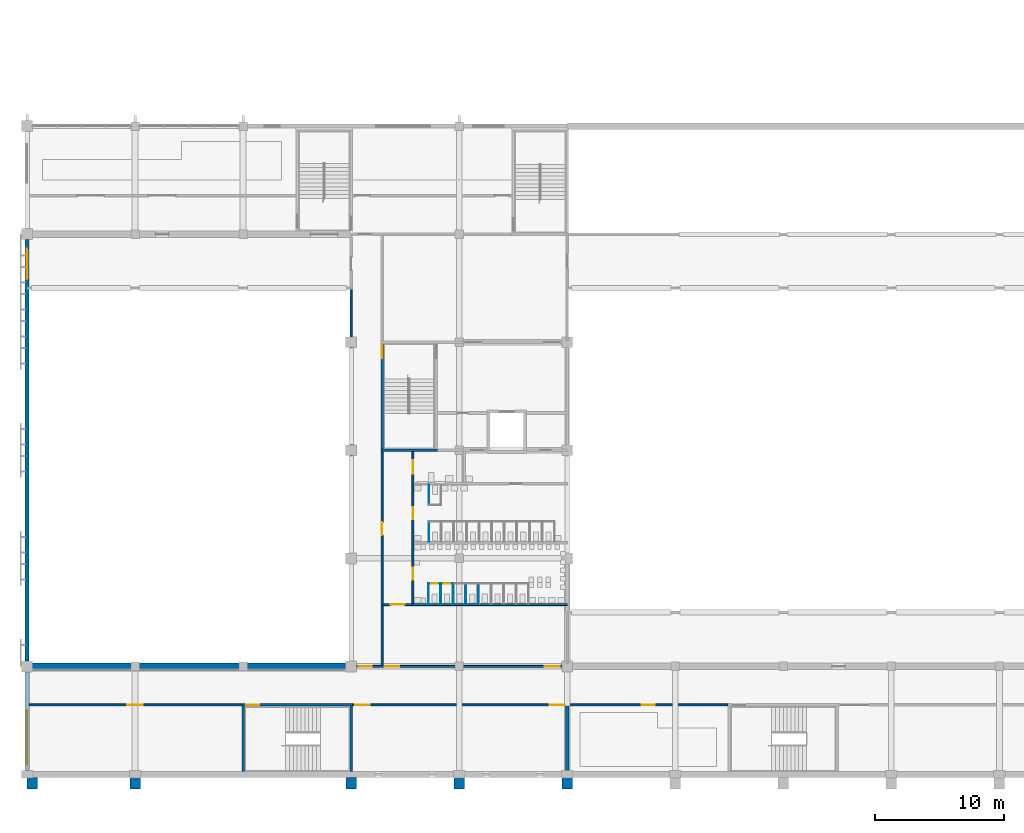
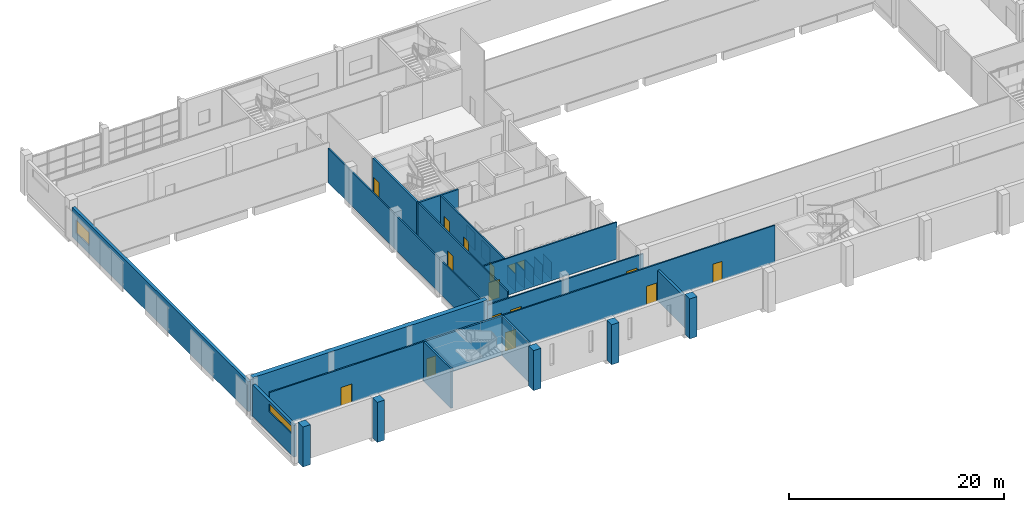
# One storey, part 22 of 64: 33 walls, 16 doors, 2 windows, 18 openings.
"""IFC4 building model written with IfcOpenShell, lengths in metres."""

from ifc_helpers import new_model, si_unit, direction, frame, frame_2d, origin, place, context, subcontext, project, spatial, rectangle, extrude, material, layer, layer_set, type_object, element, fill, save


model = new_model("IFC4")

# Units and contexts
model_context = context("Model", 3, precision=1e-05, world=origin(), true_north=direction((0.0, 1.0)))
body_context = subcontext(model_context, "Body", "Model", "MODEL_VIEW")
ifc_project = project(units=[si_unit("LENGTHUNIT", "METRE"), si_unit("AREAUNIT", "SQUARE_METRE"), si_unit("VOLUMEUNIT", "CUBIC_METRE"), si_unit("PLANEANGLEUNIT", "RADIAN"), si_unit("MASSUNIT", "GRAM", prefix="KILO")], contexts=[model_context])

# Site, building, storey
site_placement = place(None, origin())
site = spatial("IfcSite", under=ifc_project, at=site_placement, CompositionType="ELEMENT")
building_placement = place(site_placement, origin())
building = spatial("IfcBuilding", under=site, at=building_placement, Name="Rulbaag Community and Learning Centre", CompositionType="ELEMENT")
storey_placement = place(building_placement, frame((0.0, 0.0, 5.39990234375)))
storey = spatial("IfcBuildingStorey", under=building, at=storey_placement, Name="L01", CompositionType="ELEMENT", Elevation=5.39990234375)

# Walls
ifc_material_1 = material(Name="High pressure laminate", Category="wood")
ifc_layer_1 = layer(ifc_material_1, 0.0400390625)
ifc_layer_set_1 = layer_set([ifc_layer_1], Name="CP-40")
wall_type_1 = type_object("IfcWallType", Name="CP-40", PredefinedType="PARTITIONING", material=ifc_layer_set_1)
for number, where, z_axis, x_axis, name in (
    (1, (31.199951171875, 13.27490234375, 0.0), (0.0, 0.0, 1.0), (0.0, 1.0, 0.0), "Cubicle partition"),
    (2, (32.139892578125, 13.27490234375, 0.0), (0.0, 0.0, 1.0), (0.0, 1.0, 0.0), "Cubicle partition"),
):
    element("IfcWall", number, at=place(storey_placement, frame(where, z_axis=z_axis, x_axis=x_axis)), inside=storey, type_object=wall_type_1, Name=name, PredefinedType="PARTITIONING", context=body_context, shape_type="SweptSolid", body=[
        extrude(rectangle(XDim=1.59521484375, YDim=0.0400390625, at=frame_2d((0.797607421875, 0.0))), origin(), (0.0, 0.0, 1.0), 2.0),
    ])

# Wall, opening, door
wall_1_placement = place(storey_placement, frame((31.219970703125, 14.85009765625, 0.0), z_axis=(0.0, 0.0, 1.0), x_axis=(1.0, 0.0, 0.0)))
wall_1 = element("IfcWall", 3, at=wall_1_placement, inside=storey, type_object=wall_type_1, Name="Cubicle partition", PredefinedType="PARTITIONING", context=body_context, shape_type="SweptSolid", body=[
    extrude(rectangle(XDim=0.900146484375, YDim=0.0400390625, at=frame_2d((0.4501953125, 0.0))), origin(), (0.0, 0.0, 1.0), 2.0),
])
opening_1_placement = place(wall_1_placement, frame((0.050048828125, 0.0, 0.0)))
opening_1 = element("IfcOpeningElement", 4, at=opening_1_placement, cuts=wall_1, Name="Opening L01-D021", PredefinedType="OPENING", context=body_context, shape_type="SweptSolid", body=[
    extrude(rectangle(XDim=0.800048828125, YDim=2.0, at=frame_2d((0.39990234375, 1.0))), frame((0.0, 0.030029296875, 0.0), z_axis=(0.0, -1.0, 0.0), x_axis=(1.0, 0.0, 0.0)), (0.0, 0.0, 1.0), 0.06005859375),
])
door_type_1 = type_object("IfcDoorType", Name="DC-80", OperationType="SINGLE_SWING_LEFT", PredefinedType="DOOR", material=ifc_material_1)
door_1_placement = place(opening_1_placement, origin())
door_1 = element("IfcDoor", 5, at=door_1_placement, inside=storey, type_object=door_type_1, Name="Cubicle door", OperationType="SINGLE_SWING_LEFT", OverallHeight=2.0, OverallWidth=0.800048828125, PredefinedType="DOOR", context=body_context, shape_type="SweptSolid", body=[
    extrude(rectangle(XDim=0.800048828125, YDim=2.0, at=frame_2d((0.39990234375, 1.0))), frame((0.0, 0.019775390625, 0.0), z_axis=(0.0, -1.0, 0.0), x_axis=(1.0, 0.0, 0.0)), (0.0, 0.0, 1.0), 0.03955078125),
])
fill(opening_1, door_1)

# Walls
for number, where, z_axis, x_axis, name in (
    (6, (32.179931640625, 13.27490234375, 0.0), (0.0, 0.0, 1.0), (0.0, 1.0, 0.0), "Cubicle partition"),
    (7, (33.1201171875, 13.27490234375, 0.0), (0.0, 0.0, 1.0), (0.0, 1.0, 0.0), "Cubicle partition"),
):
    element("IfcWall", number, at=place(storey_placement, frame(where, z_axis=z_axis, x_axis=x_axis)), inside=storey, type_object=wall_type_1, Name=name, PredefinedType="PARTITIONING", context=body_context, shape_type="SweptSolid", body=[
        extrude(rectangle(XDim=1.59521484375, YDim=0.0400390625, at=frame_2d((0.797607421875, 0.0))), origin(), (0.0, 0.0, 1.0), 2.0),
    ])

# Wall, opening, door
wall_2_placement = place(storey_placement, frame((32.199951171875, 14.85009765625, 0.0), z_axis=(0.0, 0.0, 1.0), x_axis=(1.0, 0.0, 0.0)))
wall_2 = element("IfcWall", 8, at=wall_2_placement, inside=storey, type_object=wall_type_1, Name="Cubicle partition", PredefinedType="PARTITIONING", context=body_context, shape_type="SweptSolid", body=[
    extrude(rectangle(XDim=0.900146484375, YDim=0.0400390625, at=frame_2d((0.4501953125, 0.0))), origin(), (0.0, 0.0, 1.0), 2.0),
])
opening_2_placement = place(wall_2_placement, frame((0.050048828125, 0.0, 0.0)))
opening_2 = element("IfcOpeningElement", 9, at=opening_2_placement, cuts=wall_2, Name="Opening L01-D025", PredefinedType="OPENING", context=body_context, shape_type="SweptSolid", body=[
    extrude(rectangle(XDim=0.800048828125, YDim=2.0, at=frame_2d((0.39990234375, 1.0))), frame((0.0, 0.030029296875, 0.0), z_axis=(0.0, -1.0, 0.0), x_axis=(1.0, 0.0, 0.0)), (0.0, 0.0, 1.0), 0.06005859375),
])
door_2_placement = place(opening_2_placement, origin())
door_2 = element("IfcDoor", 10, at=door_2_placement, inside=storey, type_object=door_type_1, Name="Cubicle door", OperationType="SINGLE_SWING_LEFT", OverallHeight=2.0, OverallWidth=0.800048828125, PredefinedType="DOOR", context=body_context, shape_type="SweptSolid", body=[
    extrude(rectangle(XDim=0.800048828125, YDim=2.0, at=frame_2d((0.39990234375, 1.0))), frame((0.0, 0.019775390625, 0.0), z_axis=(0.0, -1.0, 0.0), x_axis=(1.0, 0.0, 0.0)), (0.0, 0.0, 1.0), 0.03955078125),
])
fill(opening_2, door_2)

# Walls
for number, where, z_axis, x_axis, name in (
    (11, (33.159912109375, 13.27490234375, 0.0), (0.0, 0.0, 1.0), (0.0, 1.0, 0.0), "Cubicle partition"),
    (12, (34.10009765625, 13.27490234375, 0.0), (0.0, 0.0, 1.0), (0.0, 1.0, 0.0), "Cubicle partition"),
    (13, (34.139892578125, 13.27490234375, 0.0), (0.0, 0.0, 1.0), (0.0, 1.0, 0.0), "Cubicle partition"),
    (14, (35.080078125, 13.27490234375, 0.0), (0.0, 0.0, 1.0), (0.0, 1.0, 0.0), "Cubicle partition"),
):
    element("IfcWall", number, at=place(storey_placement, frame(where, z_axis=z_axis, x_axis=x_axis)), inside=storey, type_object=wall_type_1, Name=name, PredefinedType="PARTITIONING", context=body_context, shape_type="SweptSolid", body=[
        extrude(rectangle(XDim=1.59521484375, YDim=0.0400390625, at=frame_2d((0.797607421875, 0.0))), origin(), (0.0, 0.0, 1.0), 2.0),
    ])
for number, where, z_axis, x_axis, name in (
    (15, (31.25, 18.074951171875, 0.0), (0.0, 0.0, 1.0), (0.0, 1.0, 0.0), "Cubicle partition"),
    (16, (31.25, 22.52490234375, 0.0), (0.0, 0.0, 1.0), (0.0, -1.0, 0.0), "Cubicle partition"),
):
    element("IfcWall", number, at=place(storey_placement, frame(where, z_axis=z_axis, x_axis=x_axis)), inside=storey, type_object=wall_type_1, Name=name, PredefinedType="PARTITIONING", context=body_context, shape_type="SweptSolid", body=[
        extrude(rectangle(XDim=1.594970703125, YDim=0.0400390625, at=frame_2d((0.79736328125, 0.0))), origin(), (0.0, 0.0, 1.0), 2.0),
    ])
ifc_material_2 = material(Name="Concrete M30", Category="concrete")
ifc_layer_2 = layer(ifc_material_2, 0.25)
ifc_layer_set_2 = layer_set([ifc_layer_2], Name="CW-250 COMPARTMENT WALL 250")
wall_type_2 = type_object("IfcWallType", Name="CW-250 COMPARTMENT WALL 250", PredefinedType="SOLIDWALL", material=ifc_layer_set_2)
wall_3_placement = place(storey_placement, frame((42.0, 0.22509765625, 0.0), z_axis=(0.0, 0.0, 1.0), x_axis=(0.0, 1.0, 0.0)))
element("IfcWall", 17, at=wall_3_placement, inside=storey, type_object=wall_type_2, Name="Fire wall L01 55", PredefinedType="SOLIDWALL", context=body_context, shape_type="SweptSolid", body=[
    extrude(rectangle(XDim=5.099853515625, YDim=0.25, at=frame_2d((2.5498046875, 0.0))), origin(), (0.0, 0.0, 1.0), 3.5),
])
ifc_material_3 = material(Name="Concrete M40", Category="concrete")
ifc_layer_3 = layer(ifc_material_3, 0.800048828125)
ifc_layer_set_3 = layer_set([ifc_layer_3], Name="EW-BTR")
wall_type_3 = type_object("IfcWallType", Name="EW-BTR", PredefinedType="SOLIDWALL", material=ifc_layer_set_3)
for number, where, z_axis, x_axis, name in (
    (18, (0.39990234375, -0.22509765625, -0.2998046875), (0.0, 0.0, 1.0), (0.0, -1.0, 0.0), "Buttress pier"),
    (19, (8.39990234375, -0.22509765625, -0.2998046875), (0.0, 0.0, 1.0), (0.0, -1.0, 0.0), "Buttress pier"),
    (20, (25.199951171875, -0.22509765625, -0.2998046875), (0.0, 0.0, 1.0), (0.0, -1.0, 0.0), "Buttress pier"),
    (21, (33.60009765625, -0.22509765625, -0.2998046875), (0.0, 0.0, 1.0), (0.0, -1.0, 0.0), "Buttress pier"),
    (22, (42.0, -0.22509765625, -0.2998046875), (0.0, 0.0, 1.0), (0.0, -1.0, 0.0), "Buttress pier"),
):
    element("IfcWall", number, at=place(storey_placement, frame(where, z_axis=z_axis, x_axis=x_axis)), inside=storey, type_object=wall_type_3, Name=name, PredefinedType="SOLIDWALL", context=body_context, shape_type="SweptSolid", body=[
        extrude(rectangle(XDim=0.89990234375, YDim=0.800048828125, at=frame_2d((0.449951171875, 0.0))), origin(), (0.0, 0.0, 1.0), 4.5498046875),
    ])

# Wall, opening, window
ifc_layer_4 = layer(ifc_material_3, 0.300048828125)
ifc_layer_set_4 = layer_set([ifc_layer_4], Name="EW-CONC300")
wall_type_4 = type_object("IfcWallType", Name="EW-CONC300", PredefinedType="STANDARD", material=ifc_layer_set_4)
wall_4_placement = place(storey_placement, frame((0.0, 0.300048828125, 0.0), z_axis=(0.0, 0.0, 1.0), x_axis=(0.0, 1.0, 0.0)))
wall_4 = element("IfcWall", 23, at=wall_4_placement, inside=storey, type_object=wall_type_4, Name="Board-marked concrete cladding wall AW", PredefinedType="STANDARD", context=body_context, shape_type="SweptSolid", body=[
    extrude(rectangle(XDim=7.675048828125, YDim=0.300048828125, at=frame_2d((3.83740234375, 0.0))), origin(), (0.0, 0.0, 1.0), 3.60009765625),
])
opening_3_placement = place(wall_4_placement, frame((0.449951171875, 0.0, 2.39990234375)))
opening_3 = element("IfcOpeningElement", 24, at=opening_3_placement, cuts=wall_4, Name="Opening WN13", PredefinedType="OPENING", context=body_context, shape_type="SweptSolid", body=[
    extrude(rectangle(XDim=4.199951171875, YDim=0.89990234375, at=frame_2d((2.10009765625, 0.449951171875))), frame((0.0, 0.159912109375, 0.0), z_axis=(0.0, -1.0, 0.0), x_axis=(1.0, 0.0, 0.0)), (0.0, 0.0, 1.0), 0.320068359375),
])
ifc_material_4 = material(Name="Aluminium", Category="aluminium")
window_type_1 = type_object("IfcWindowType", Name="WL-42", PartitioningType="TRIPLE_PANEL_VERTICAL", PredefinedType="WINDOW", material=ifc_material_4)
window_1_placement = place(opening_3_placement, origin())
window_1 = element("IfcWindow", 25, at=window_1_placement, inside=storey, type_object=window_type_1, Name="Window WN13", OverallHeight=0.89990234375, OverallWidth=4.199951171875, PartitioningType="SINGLE_PANEL", PredefinedType="WINDOW", context=body_context, shape_type="SweptSolid", body=[
    extrude(rectangle(XDim=4.199951171875, YDim=0.89990234375, at=frame_2d((2.10009765625, 0.449951171875))), frame((0.0, 0.030029296875, 0.0), z_axis=(0.0, -1.0, 0.0), x_axis=(1.0, 0.0, 0.0)), (0.0, 0.0, 1.0), 0.06005859375),
])
fill(opening_3, window_1)

wall_5_placement = place(storey_placement, frame((0.0, 8.824951171875, 0.0), z_axis=(0.0, 0.0, 1.0), x_axis=(0.0, 1.0, 0.0)))
wall_5 = element("IfcWall", 26, at=wall_5_placement, inside=storey, type_object=wall_type_4, Name="Board-marked concrete cladding wall AW", PredefinedType="STANDARD", context=body_context, shape_type="SweptSolid", body=[
    extrude(rectangle(XDim=32.75, YDim=0.300048828125, at=frame_2d((16.375, 0.0))), origin(), (0.0, 0.0, 1.0), 3.400146484375),
])
opening_4_placement = place(wall_5_placement, frame((29.66259765625, 0.0, 0.89990234375)))
opening_4 = element("IfcOpeningElement", 27, at=opening_4_placement, cuts=wall_5, Name="Opening WN17", PredefinedType="OPENING", context=body_context, shape_type="SweptSolid", body=[
    extrude(rectangle(XDim=2.39990234375, YDim=1.5, at=frame_2d((1.199951171875, 0.75))), frame((0.0, 0.159912109375, 0.0), z_axis=(0.0, -1.0, 0.0), x_axis=(1.0, 0.0, 0.0)), (0.0, 0.0, 1.0), 0.320068359375),
])
window_type_2 = type_object("IfcWindowType", Name="WN-24", PartitioningType="DOUBLE_PANEL_VERTICAL", PredefinedType="WINDOW", material=ifc_material_4)
window_2_placement = place(opening_4_placement, origin())
window_2 = element("IfcWindow", 28, at=window_2_placement, inside=storey, type_object=window_type_2, Name="Window WN17", OverallHeight=1.5, OverallWidth=2.39990234375, PartitioningType="SINGLE_PANEL", PredefinedType="WINDOW", context=body_context, shape_type="SweptSolid", body=[
    extrude(rectangle(XDim=2.39990234375, YDim=1.5, at=frame_2d((1.199951171875, 0.75))), frame((0.0, 0.030029296875, 0.0), z_axis=(0.0, -1.0, 0.0), x_axis=(1.0, 0.0, 0.0)), (0.0, 0.0, 1.0), 0.06005859375),
])
fill(opening_4, window_2)

# Wall
ifc_material_5 = material(Name="Concrete blockwork", Category="masonry")
ifc_layer_5 = layer(ifc_material_5, 0.14990234375)
ifc_layer_set_5 = layer_set([ifc_layer_5], Name="IP-150 PARTITION 150")
wall_type_5 = type_object("IfcWallType", Name="IP-150 PARTITION 150", PredefinedType="PARTITIONING", material=ifc_layer_set_5)
wall_6_placement = place(storey_placement, frame((25.199951171875, 8.64990234375, -0.2998046875), z_axis=(0.0, 0.0, 1.0), x_axis=(0.0, 1.0, 0.0)))
element("IfcWall", 29, at=wall_6_placement, inside=storey, type_object=wall_type_5, Name="Partition L01 57", PredefinedType="PARTITIONING", context=body_context, shape_type="SweptSolid", body=[
    extrude(rectangle(XDim=29.0751953125, YDim=0.14990234375, at=frame_2d((14.53759765625, 0.0))), origin(), (0.0, 0.0, 1.0), 3.89990234375),
])

# Wall, opening, door
wall_7_placement = place(storey_placement, frame((0.14990234375, 5.39990234375, 0.0), z_axis=(0.0, 0.0, 1.0), x_axis=(1.0, 0.0, 0.0)))
wall_7 = element("IfcWall", 30, at=wall_7_placement, inside=storey, type_object=wall_type_5, Name="Partition L01 1", PredefinedType="PARTITIONING", context=body_context, shape_type="SweptSolid", body=[
    extrude(rectangle(XDim=16.550048828125, YDim=0.14990234375, at=frame_2d((8.27490234375, 0.0))), origin(), (0.0, 0.0, 1.0), 4.2001953125),
])
opening_5_placement = place(wall_7_placement, frame((7.64990234375, 0.0, 0.0)))
opening_5 = element("IfcOpeningElement", 31, at=opening_5_placement, cuts=wall_7, Name="Opening L01-D002", PredefinedType="OPENING", context=body_context, shape_type="SweptSolid", body=[
    extrude(rectangle(XDim=1.199951171875, YDim=2.10009765625, at=frame_2d((0.60009765625, 1.050048828125))), frame((0.0, 0.0849609375, 0.0), z_axis=(0.0, -1.0, 0.0), x_axis=(1.0, 0.0, 0.0)), (0.0, 0.0, 1.0), 0.169921875),
])
ifc_material_6 = material(Name="Timber", Category="wood")
door_type_2 = type_object("IfcDoorType", Name="DC-1200 CLASSROOM DOOR 1200 x 2100", OperationType="SINGLE_SWING_LEFT", PredefinedType="DOOR", material=ifc_material_6)
door_3_placement = place(opening_5_placement, origin())
door_3 = element("IfcDoor", 32, at=door_3_placement, inside=storey, type_object=door_type_2, Name="Door L01-D002", OperationType="SINGLE_SWING_LEFT", OverallHeight=2.10009765625, OverallWidth=1.199951171875, PredefinedType="DOOR", context=body_context, shape_type="SweptSolid", body=[
    extrude(rectangle(XDim=1.199951171875, YDim=2.10009765625, at=frame_2d((0.60009765625, 1.050048828125))), frame((0.0, 0.02490234375, 0.0), z_axis=(0.0, -1.0, 0.0), x_axis=(1.0, 0.0, 0.0)), (0.0, 0.0, 1.0), 0.050048828125),
])
fill(opening_5, door_3)

# Wall, openings, doors
wall_8_placement = place(storey_placement, frame((25.300048828125, 5.39990234375, 0.0), z_axis=(0.0, 0.0, 1.0), x_axis=(1.0, 0.0, 0.0)))
wall_8 = element("IfcWall", 33, at=wall_8_placement, inside=storey, type_object=wall_type_5, Name="Partition L01 2", PredefinedType="PARTITIONING", context=body_context, shape_type="SweptSolid", body=[
    extrude(rectangle(XDim=29.199951171875, YDim=0.14990234375, at=frame_2d((14.60009765625, 0.0))), origin(), (0.0, 0.0, 1.0), 4.2001953125),
])
opening_6_placement = place(wall_8_placement, frame((0.199951171875, 0.0, 0.0)))
opening_6 = element("IfcOpeningElement", 34, at=opening_6_placement, cuts=wall_8, Name="Opening L01-D010", PredefinedType="OPENING", context=body_context, shape_type="SweptSolid", body=[
    extrude(rectangle(XDim=1.14990234375, YDim=2.10009765625, at=frame_2d((0.574951171875, 1.050048828125))), frame((0.0, 0.0849609375, 0.0), z_axis=(0.0, -1.0, 0.0), x_axis=(1.0, 0.0, 0.0)), (0.0, 0.0, 1.0), 0.169921875),
])
opening_7_placement = place(wall_8_placement, frame((15.35009765625, 0.0, 0.0)))
opening_7 = element("IfcOpeningElement", 35, at=opening_7_placement, cuts=wall_8, Name="Opening L01-D051", PredefinedType="OPENING", context=body_context, shape_type="SweptSolid", body=[
    extrude(rectangle(XDim=1.14990234375, YDim=2.10009765625, at=frame_2d((0.574951171875, 1.050048828125))), frame((0.0, 0.0849609375, 0.0), z_axis=(0.0, -1.0, 0.0), x_axis=(1.0, 0.0, 0.0)), (0.0, 0.0, 1.0), 0.169921875),
])
opening_8_placement = place(wall_8_placement, frame((22.5, 0.0, 0.0)))
opening_8 = element("IfcOpeningElement", 36, at=opening_8_placement, cuts=wall_8, Name="Opening L01-D053", PredefinedType="OPENING", context=body_context, shape_type="SweptSolid", body=[
    extrude(rectangle(XDim=1.0, YDim=2.10009765625, at=frame_2d((0.5, 1.050048828125))), frame((0.0, 0.0849609375, 0.0), z_axis=(0.0, -1.0, 0.0), x_axis=(1.0, 0.0, 0.0)), (0.0, 0.0, 1.0), 0.169921875),
])
door_type_3 = type_object("IfcDoorType", Name="D-1000 DOOR 1000 x 2100", OperationType="SINGLE_SWING_LEFT", PredefinedType="DOOR", material=ifc_material_6)
door_4_placement = place(opening_8_placement, origin())
door_4 = element("IfcDoor", 37, at=door_4_placement, inside=storey, type_object=door_type_3, Name="Door L01-D053", OperationType="SINGLE_SWING_RIGHT", OverallHeight=2.10009765625, OverallWidth=1.0, PredefinedType="DOOR", context=body_context, shape_type="SweptSolid", body=[
    extrude(rectangle(XDim=1.0, YDim=2.10009765625, at=frame_2d((0.5, 1.050048828125))), frame((0.0, 0.02490234375, 0.0), z_axis=(0.0, -1.0, 0.0), x_axis=(1.0, 0.0, 0.0)), (0.0, 0.0, 1.0), 0.050048828125),
])
fill(opening_8, door_4)
door_type_4 = type_object("IfcDoorType", Name="D-1150 YOUTH ROOM DOOR 1150 x 2100", OperationType="SINGLE_SWING_LEFT", PredefinedType="DOOR", material=ifc_material_6)
door_5_placement = place(opening_6_placement, origin())
door_5 = element("IfcDoor", 38, at=door_5_placement, inside=storey, type_object=door_type_4, Name="Door L01-D010", OperationType="SINGLE_SWING_RIGHT", OverallHeight=2.10009765625, OverallWidth=1.14990234375, PredefinedType="DOOR", context=body_context, shape_type="SweptSolid", body=[
    extrude(rectangle(XDim=1.14990234375, YDim=2.10009765625, at=frame_2d((0.574951171875, 1.050048828125))), frame((0.0, 0.02490234375, 0.0), z_axis=(0.0, -1.0, 0.0), x_axis=(1.0, 0.0, 0.0)), (0.0, 0.0, 1.0), 0.050048828125),
])
fill(opening_6, door_5)
door_6_placement = place(opening_7_placement, origin())
door_6 = element("IfcDoor", 39, at=door_6_placement, inside=storey, type_object=door_type_4, Name="Door L01-D051", OperationType="SINGLE_SWING_LEFT", OverallHeight=2.10009765625, OverallWidth=1.14990234375, PredefinedType="DOOR", context=body_context, shape_type="SweptSolid", body=[
    extrude(rectangle(XDim=1.14990234375, YDim=2.10009765625, at=frame_2d((0.574951171875, 1.050048828125))), frame((0.0, 0.02490234375, 0.0), z_axis=(0.0, -1.0, 0.0), x_axis=(1.0, 0.0, 0.0)), (0.0, 0.0, 1.0), 0.050048828125),
])
fill(opening_7, door_6)

wall_9_placement = place(storey_placement, frame((25.199951171875, 8.39990234375, 0.0), z_axis=(0.0, 0.0, 1.0), x_axis=(1.0, 0.0, 0.0)))
wall_9 = element("IfcWall", 40, at=wall_9_placement, inside=storey, type_object=wall_type_5, Name="Partition L01 5", PredefinedType="PARTITIONING", context=body_context, shape_type="SweptSolid", body=[
    extrude(rectangle(XDim=16.875, YDim=0.14990234375, at=frame_2d((8.4375, 0.0))), origin(), (0.0, 0.0, 1.0), 3.5),
])
opening_9_placement = place(wall_9_placement, frame((2.60009765625, 0.0, 0.0)))
opening_9 = element("IfcOpeningElement", 41, at=opening_9_placement, cuts=wall_9, Name="Opening L01-D016", PredefinedType="OPENING", context=body_context, shape_type="SweptSolid", body=[
    extrude(rectangle(XDim=1.14990234375, YDim=2.10009765625, at=frame_2d((0.574951171875, 1.050048828125))), frame((0.0, 0.0849609375, 0.0), z_axis=(0.0, -1.0, 0.0), x_axis=(1.0, 0.0, 0.0)), (0.0, 0.0, 1.0), 0.169921875),
])
opening_10_placement = place(wall_9_placement, frame((15.050048828125, 0.0, 0.0)))
opening_10 = element("IfcOpeningElement", 42, at=opening_10_placement, cuts=wall_9, Name="Opening L01-D050", PredefinedType="OPENING", context=body_context, shape_type="SweptSolid", body=[
    extrude(rectangle(XDim=1.14990234375, YDim=2.10009765625, at=frame_2d((0.574951171875, 1.050048828125))), frame((0.0, 0.0849609375, 0.0), z_axis=(0.0, -1.0, 0.0), x_axis=(1.0, 0.0, 0.0)), (0.0, 0.0, 1.0), 0.169921875),
])
opening_11_placement = place(wall_9_placement, frame((0.60009765625, 0.0, 0.0)))
opening_11 = element("IfcOpeningElement", 43, at=opening_11_placement, cuts=wall_9, Name="Opening L01-D012", PredefinedType="OPENING", context=body_context, shape_type="SweptSolid", body=[
    extrude(rectangle(XDim=1.0, YDim=2.10009765625, at=frame_2d((0.5, 1.050048828125))), frame((0.0, 0.0849609375, 0.0), z_axis=(0.0, -1.0, 0.0), x_axis=(1.0, 0.0, 0.0)), (0.0, 0.0, 1.0), 0.169921875),
])
door_7_placement = place(opening_11_placement, origin())
door_7 = element("IfcDoor", 44, at=door_7_placement, inside=storey, type_object=door_type_3, Name="Door L01-D012", OperationType="SINGLE_SWING_RIGHT", OverallHeight=2.10009765625, OverallWidth=1.0, PredefinedType="DOOR", context=body_context, shape_type="SweptSolid", body=[
    extrude(rectangle(XDim=1.0, YDim=2.10009765625, at=frame_2d((0.5, 1.050048828125))), frame((0.0, 0.02490234375, 0.0), z_axis=(0.0, -1.0, 0.0), x_axis=(1.0, 0.0, 0.0)), (0.0, 0.0, 1.0), 0.050048828125),
])
fill(opening_11, door_7)
door_8_placement = place(opening_9_placement, origin())
door_8 = element("IfcDoor", 45, at=door_8_placement, inside=storey, type_object=door_type_4, Name="Door L01-D016", OperationType="SINGLE_SWING_LEFT", OverallHeight=2.10009765625, OverallWidth=1.14990234375, PredefinedType="DOOR", context=body_context, shape_type="SweptSolid", body=[
    extrude(rectangle(XDim=1.14990234375, YDim=2.10009765625, at=frame_2d((0.574951171875, 1.050048828125))), frame((0.0, 0.02490234375, 0.0), z_axis=(0.0, -1.0, 0.0), x_axis=(1.0, 0.0, 0.0)), (0.0, 0.0, 1.0), 0.050048828125),
])
fill(opening_9, door_8)
door_9_placement = place(opening_10_placement, origin())
door_9 = element("IfcDoor", 46, at=door_9_placement, inside=storey, type_object=door_type_4, Name="Door L01-D050", OperationType="SINGLE_SWING_RIGHT", OverallHeight=2.10009765625, OverallWidth=1.14990234375, PredefinedType="DOOR", context=body_context, shape_type="SweptSolid", body=[
    extrude(rectangle(XDim=1.14990234375, YDim=2.10009765625, at=frame_2d((0.574951171875, 1.050048828125))), frame((0.0, 0.02490234375, 0.0), z_axis=(0.0, -1.0, 0.0), x_axis=(1.0, 0.0, 0.0)), (0.0, 0.0, 1.0), 0.050048828125),
])
fill(opening_10, door_9)

# Wall, opening, door
wall_10_placement = place(storey_placement, frame((27.675048828125, 13.199951171875, 0.0), z_axis=(0.0, 0.0, 1.0), x_axis=(1.0, 0.0, 0.0)))
wall_10 = element("IfcWall", 47, at=wall_10_placement, inside=storey, type_object=wall_type_5, Name="Partition L01 7", PredefinedType="PARTITIONING", context=body_context, shape_type="SweptSolid", body=[
    extrude(rectangle(XDim=14.324951171875, YDim=0.14990234375, at=frame_2d((7.16259765625, 0.0))), origin(), (0.0, 0.0, 1.0), 4.2001953125),
])
opening_12_placement = place(wall_10_placement, frame((0.550048828125, 0.0, 0.0)))
opening_12 = element("IfcOpeningElement", 48, at=opening_12_placement, cuts=wall_10, Name="Opening L01-D017", PredefinedType="OPENING", context=body_context, shape_type="SweptSolid", body=[
    extrude(rectangle(XDim=1.14990234375, YDim=2.10009765625, at=frame_2d((0.574951171875, 1.050048828125))), frame((0.0, 0.0849609375, 0.0), z_axis=(0.0, -1.0, 0.0), x_axis=(1.0, 0.0, 0.0)), (0.0, 0.0, 1.0), 0.169921875),
])
door_10_placement = place(opening_12_placement, origin())
door_10 = element("IfcDoor", 49, at=door_10_placement, inside=storey, type_object=door_type_4, Name="Door L01-D017", OperationType="SINGLE_SWING_RIGHT", OverallHeight=2.10009765625, OverallWidth=1.14990234375, PredefinedType="DOOR", context=body_context, shape_type="SweptSolid", body=[
    extrude(rectangle(XDim=1.14990234375, YDim=2.10009765625, at=frame_2d((0.574951171875, 1.050048828125))), frame((0.0, 0.02490234375, 0.0), z_axis=(0.0, -1.0, 0.0), x_axis=(1.0, 0.0, 0.0)), (0.0, 0.0, 1.0), 0.050048828125),
])
fill(opening_12, door_10)

wall_11_placement = place(storey_placement, frame((27.60009765625, 8.47509765625, 0.0), z_axis=(0.0, 0.0, 1.0), x_axis=(0.0, 1.0, 0.0)))
wall_11 = element("IfcWall", 50, at=wall_11_placement, inside=storey, type_object=wall_type_5, Name="Partition L01 50", PredefinedType="PARTITIONING", context=body_context, shape_type="SweptSolid", body=[
    extrude(rectangle(XDim=16.824951171875, YDim=0.14990234375, at=frame_2d((8.41259765625, 0.0))), origin(), (0.0, 0.0, 1.0), 4.2001953125),
])
opening_13_placement = place(wall_11_placement, frame((10.125, 0.0, 0.0)))
opening_13 = element("IfcOpeningElement", 51, at=opening_13_placement, cuts=wall_11, Name="Opening L01-D014", PredefinedType="OPENING", context=body_context, shape_type="SweptSolid", body=[
    extrude(rectangle(XDim=1.0, YDim=2.10009765625, at=frame_2d((0.5, 1.050048828125))), frame((0.0, 0.0849609375, 0.0), z_axis=(0.0, -1.0, 0.0), x_axis=(1.0, 0.0, 0.0)), (0.0, 0.0, 1.0), 0.169921875),
])
door_11_placement = place(opening_13_placement, origin())
door_11 = element("IfcDoor", 52, at=door_11_placement, inside=storey, type_object=door_type_3, Name="Door L01-D014", OperationType="SINGLE_SWING_RIGHT", OverallHeight=2.10009765625, OverallWidth=1.0, PredefinedType="DOOR", context=body_context, shape_type="SweptSolid", body=[
    extrude(rectangle(XDim=1.0, YDim=2.10009765625, at=frame_2d((0.5, 1.050048828125))), frame((0.0, 0.02490234375, 0.0), z_axis=(0.0, -1.0, 0.0), x_axis=(1.0, 0.0, 0.0)), (0.0, 0.0, 1.0), 0.050048828125),
])
fill(opening_13, door_11)

# Wall, openings, doors
wall_12_placement = place(storey_placement, frame((30.0, 13.27490234375, 0.0), z_axis=(0.0, 0.0, 1.0), x_axis=(0.0, 1.0, 0.0)))
wall_12 = element("IfcWall", 53, at=wall_12_placement, inside=storey, type_object=wall_type_5, Name="Partition L01 52", PredefinedType="PARTITIONING", context=body_context, shape_type="SweptSolid", body=[
    extrude(rectangle(XDim=11.8251953125, YDim=0.14990234375, at=frame_2d((5.91259765625, 0.0))), origin(), (0.0, 0.0, 1.0), 4.2001953125),
])
opening_14_placement = place(wall_12_placement, frame((1.875, 0.0, 0.0)))
opening_14 = element("IfcOpeningElement", 54, at=opening_14_placement, cuts=wall_12, Name="Opening L01-D018", PredefinedType="OPENING", context=body_context, shape_type="SweptSolid", body=[
    extrude(rectangle(XDim=0.89990234375, YDim=2.10009765625, at=frame_2d((0.449951171875, 1.050048828125))), frame((0.0, 0.0849609375, 0.0), z_axis=(0.0, -1.0, 0.0), x_axis=(1.0, 0.0, 0.0)), (0.0, 0.0, 1.0), 0.169921875),
])
opening_15_placement = place(wall_12_placement, frame((6.574951171875, 0.0, 0.0)))
opening_15 = element("IfcOpeningElement", 55, at=opening_15_placement, cuts=wall_12, Name="Opening L01-D019", PredefinedType="OPENING", context=body_context, shape_type="SweptSolid", body=[
    extrude(rectangle(XDim=0.89990234375, YDim=2.10009765625, at=frame_2d((0.449951171875, 1.050048828125))), frame((0.0, 0.0849609375, 0.0), z_axis=(0.0, -1.0, 0.0), x_axis=(1.0, 0.0, 0.0)), (0.0, 0.0, 1.0), 0.169921875),
])
opening_16_placement = place(wall_12_placement, frame((10.10009765625, 0.0, 0.0)))
opening_16 = element("IfcOpeningElement", 56, at=opening_16_placement, cuts=wall_12, Name="Opening L01-D020", PredefinedType="OPENING", context=body_context, shape_type="SweptSolid", body=[
    extrude(rectangle(XDim=1.050048828125, YDim=2.25, at=frame_2d((0.52490234375, 1.125))), frame((0.0, 0.0849609375, 0.0), z_axis=(0.0, -1.0, 0.0), x_axis=(1.0, 0.0, 0.0)), (0.0, 0.0, 1.0), 0.169921875),
])
door_type_5 = type_object("IfcDoorType", Name="D-1050 ACCESSIBLE TOILET DOOR 1050 x 2250", OperationType="SINGLE_SWING_LEFT", PredefinedType="DOOR", material=ifc_material_6)
door_12_placement = place(opening_16_placement, origin())
door_12 = element("IfcDoor", 57, at=door_12_placement, inside=storey, type_object=door_type_5, Name="Door L01-D020", OperationType="SINGLE_SWING_RIGHT", OverallHeight=2.25, OverallWidth=1.050048828125, PredefinedType="DOOR", context=body_context, shape_type="SweptSolid", body=[
    extrude(rectangle(XDim=1.050048828125, YDim=2.25, at=frame_2d((0.52490234375, 1.125))), frame((0.0, 0.02490234375, 0.0), z_axis=(0.0, -1.0, 0.0), x_axis=(1.0, 0.0, 0.0)), (0.0, 0.0, 1.0), 0.050048828125),
])
fill(opening_16, door_12)
door_type_6 = type_object("IfcDoorType", Name="DW-900 TOILET DOOR 900 x 2100", OperationType="SINGLE_SWING_LEFT", PredefinedType="DOOR", material=ifc_material_6)
door_13_placement = place(opening_14_placement, origin())
door_13 = element("IfcDoor", 58, at=door_13_placement, inside=storey, type_object=door_type_6, Name="Door L01-D018", OperationType="SINGLE_SWING_LEFT", OverallHeight=2.10009765625, OverallWidth=0.89990234375, PredefinedType="DOOR", context=body_context, shape_type="SweptSolid", body=[
    extrude(rectangle(XDim=0.89990234375, YDim=2.10009765625, at=frame_2d((0.449951171875, 1.050048828125))), frame((0.0, 0.02490234375, 0.0), z_axis=(0.0, -1.0, 0.0), x_axis=(1.0, 0.0, 0.0)), (0.0, 0.0, 1.0), 0.050048828125),
])
fill(opening_14, door_13)
door_14_placement = place(opening_15_placement, origin())
door_14 = element("IfcDoor", 59, at=door_14_placement, inside=storey, type_object=door_type_6, Name="Door L01-D019", OperationType="SINGLE_SWING_RIGHT", OverallHeight=2.10009765625, OverallWidth=0.89990234375, PredefinedType="DOOR", context=body_context, shape_type="SweptSolid", body=[
    extrude(rectangle(XDim=0.89990234375, YDim=2.10009765625, at=frame_2d((0.449951171875, 1.050048828125))), frame((0.0, 0.02490234375, 0.0), z_axis=(0.0, -1.0, 0.0), x_axis=(1.0, 0.0, 0.0)), (0.0, 0.0, 1.0), 0.050048828125),
])
fill(opening_15, door_14)

# Walls
ifc_layer_6 = layer(ifc_material_3, 0.5)
ifc_layer_set_6 = layer_set([ifc_layer_6], Name="W13 Shear wall 500 Concrete M40")
wall_type_6 = type_object("IfcWallType", Name="W13 Shear wall 500 Concrete M40", PredefinedType="SHEAR", material=ifc_layer_set_6)
wall_13_placement = place(storey_placement, frame((0.0, 8.39990234375, -0.2998046875), z_axis=(0.0, 0.0, 1.0), x_axis=(1.0, 0.0, 0.0)))
element("IfcWall", 60, at=wall_13_placement, inside=storey, type_object=wall_type_6, Name="WL-XPS-L01", PredefinedType="SHEAR", context=body_context, shape_type="SweptSolid", body=[
    extrude(rectangle(XDim=25.199951171875, YDim=0.5, at=frame_2d((12.60009765625, 0.0))), origin(), (0.0, 0.0, 1.0), 4.5498046875),
])
ifc_layer_7 = layer(ifc_material_3, 0.199951171875)
ifc_layer_set_7 = layer_set([ifc_layer_7], Name="WSE Stair enclosure wall 200 Concrete M40")
wall_type_7 = type_object("IfcWallType", Name="WSE Stair enclosure wall 200 Concrete M40", PredefinedType="SHEAR", material=ifc_layer_set_7)
wall_14_placement = place(storey_placement, frame((27.5, 25.199951171875, -0.2998046875), z_axis=(0.0, 0.0, 1.0), x_axis=(1.0, 0.0, 0.0)))
element("IfcWall", 61, at=wall_14_placement, inside=storey, type_object=wall_type_7, Name="Stair enclosure wall SH1 S L01", PredefinedType="SHEAR", context=body_context, shape_type="SweptSolid", body=[
    extrude(rectangle(XDim=4.39990234375, YDim=0.199951171875, at=frame_2d((2.199951171875, 0.0))), origin(), (0.0, 0.0, 1.0), 4.5),
])

# Wall, opening, door
wall_15_placement = place(storey_placement, frame((27.60009765625, 25.300048828125, -0.2998046875), z_axis=(0.0, 0.0, 1.0), x_axis=(0.0, 1.0, 0.0)))
wall_15 = element("IfcWall", 62, at=wall_15_placement, inside=storey, type_object=wall_type_7, Name="Stair enclosure wall SH1 W L01", PredefinedType="SHEAR", context=body_context, shape_type="SweptSolid", body=[
    extrude(rectangle(XDim=8.199951171875, YDim=0.199951171875, at=frame_2d((4.10009765625, 0.0))), origin(), (0.0, 0.0, 1.0), 4.5),
])
opening_17_placement = place(wall_15_placement, frame((7.050048828125, 0.0, 0.300048828125)))
opening_17 = element("IfcOpeningElement", 63, at=opening_17_placement, cuts=wall_15, Name="Opening L01-D015", PredefinedType="OPENING", context=body_context, shape_type="SweptSolid", body=[
    extrude(rectangle(XDim=1.0, YDim=2.10009765625, at=frame_2d((0.5, 1.050048828125))), frame((0.0, 0.10986328125, 0.0), z_axis=(0.0, -1.0, 0.0), x_axis=(1.0, 0.0, 0.0)), (0.0, 0.0, 1.0), 0.219970703125),
])
ifc_material_7 = material(Name="Galvanised steel", Category="steel")
door_type_7 = type_object("IfcDoorType", Name="FD-1000 FIRE DOOR 1000 x 2100", OperationType="SINGLE_SWING_LEFT", PredefinedType="DOOR", material=ifc_material_7)
door_15_placement = place(opening_17_placement, origin())
door_15 = element("IfcDoor", 64, at=door_15_placement, inside=storey, type_object=door_type_7, Name="Door L01-D015", OperationType="SINGLE_SWING_LEFT", OverallHeight=2.10009765625, OverallWidth=1.0, PredefinedType="DOOR", context=body_context, shape_type="SweptSolid", body=[
    extrude(rectangle(XDim=1.0, YDim=2.10009765625, at=frame_2d((0.5, 1.050048828125))), frame((0.0, 0.02490234375, 0.0), z_axis=(0.0, -1.0, 0.0), x_axis=(1.0, 0.0, 0.0)), (0.0, 0.0, 1.0), 0.050048828125),
])
fill(opening_17, door_15)

wall_16_placement = place(storey_placement, frame((16.699951171875, 5.39990234375, -0.2998046875), z_axis=(0.0, 0.0, 1.0), x_axis=(1.0, 0.0, 0.0)))
wall_16 = element("IfcWall", 65, at=wall_16_placement, inside=storey, type_object=wall_type_7, Name="Stair enclosure wall SH9 N L01", PredefinedType="SHEAR", context=body_context, shape_type="SweptSolid", body=[
    extrude(rectangle(XDim=8.60009765625, YDim=0.199951171875, at=frame_2d((4.300048828125, 0.0))), origin(), (0.0, 0.0, 1.0), 4.5),
])
opening_18_placement = place(wall_16_placement, frame((0.35009765625, 0.0, 0.300048828125)))
opening_18 = element("IfcOpeningElement", 66, at=opening_18_placement, cuts=wall_16, Name="Opening L01-D005", PredefinedType="OPENING", context=body_context, shape_type="SweptSolid", body=[
    extrude(rectangle(XDim=1.0, YDim=2.10009765625, at=frame_2d((0.5, 1.050048828125))), frame((0.0, 0.10986328125, 0.0), z_axis=(0.0, -1.0, 0.0), x_axis=(1.0, 0.0, 0.0)), (0.0, 0.0, 1.0), 0.219970703125),
])
door_16_placement = place(opening_18_placement, origin())
door_16 = element("IfcDoor", 67, at=door_16_placement, inside=storey, type_object=door_type_7, Name="Door L01-D005", OperationType="SINGLE_SWING_LEFT", OverallHeight=2.10009765625, OverallWidth=1.0, PredefinedType="DOOR", context=body_context, shape_type="SweptSolid", body=[
    extrude(rectangle(XDim=1.0, YDim=2.10009765625, at=frame_2d((0.5, 1.050048828125))), frame((0.0, 0.02490234375, 0.0), z_axis=(0.0, -1.0, 0.0), x_axis=(1.0, 0.0, 0.0)), (0.0, 0.0, 1.0), 0.050048828125),
])
fill(opening_18, door_16)

# Walls
for number, where, z_axis, x_axis, name in (
    (68, (16.800048828125, 0.22509765625, -0.2998046875), (0.0, 0.0, 1.0), (0.0, 1.0, 0.0), "Stair enclosure wall SH9 W L01"),
    (69, (25.199951171875, 0.22509765625, -0.2998046875), (0.0, 0.0, 1.0), (0.0, 1.0, 0.0), "Stair enclosure wall SH9 E L01"),
):
    element("IfcWall", number, at=place(storey_placement, frame(where, z_axis=z_axis, x_axis=x_axis)), inside=storey, type_object=wall_type_7, Name=name, PredefinedType="SHEAR", context=body_context, shape_type="SweptSolid", body=[
        extrude(rectangle(XDim=5.074951171875, YDim=0.199951171875, at=frame_2d((2.53759765625, 0.0))), origin(), (0.0, 0.0, 1.0), 4.5),
    ])

save(model, "model.ifc")
